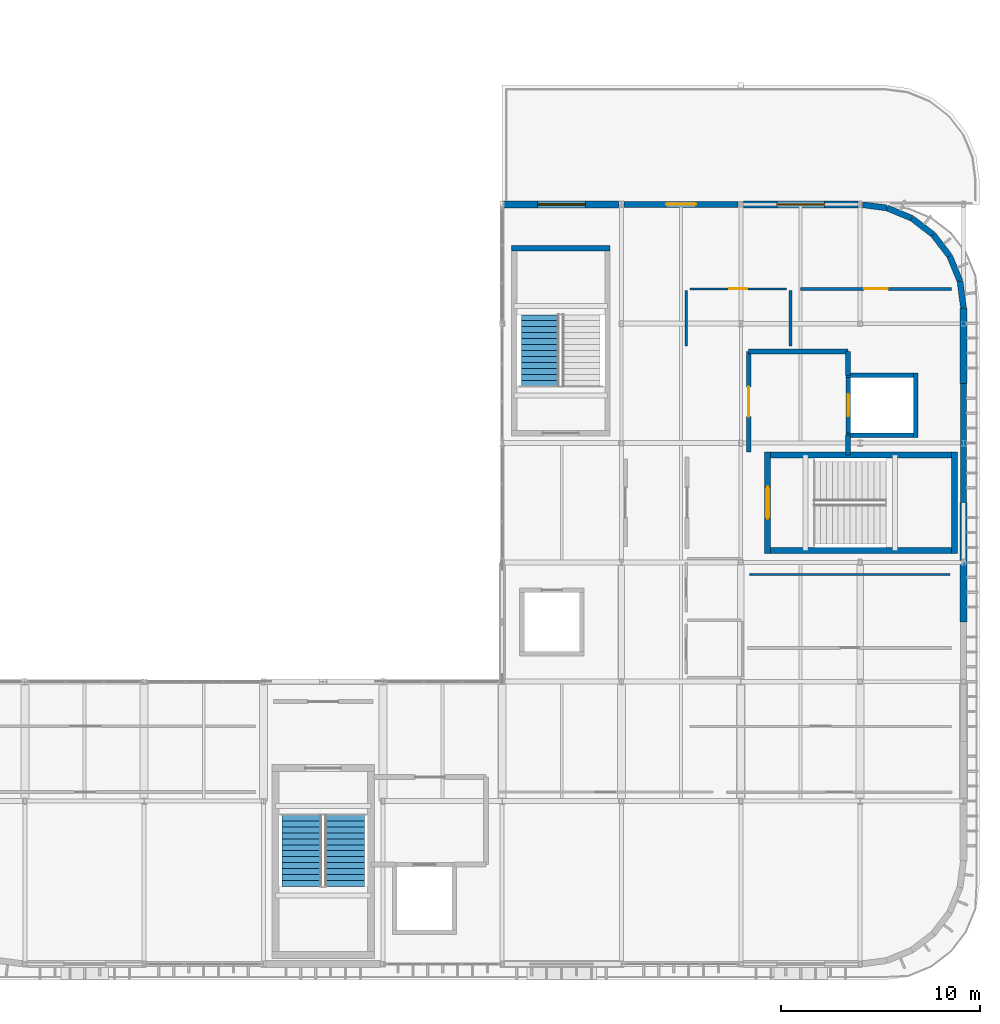
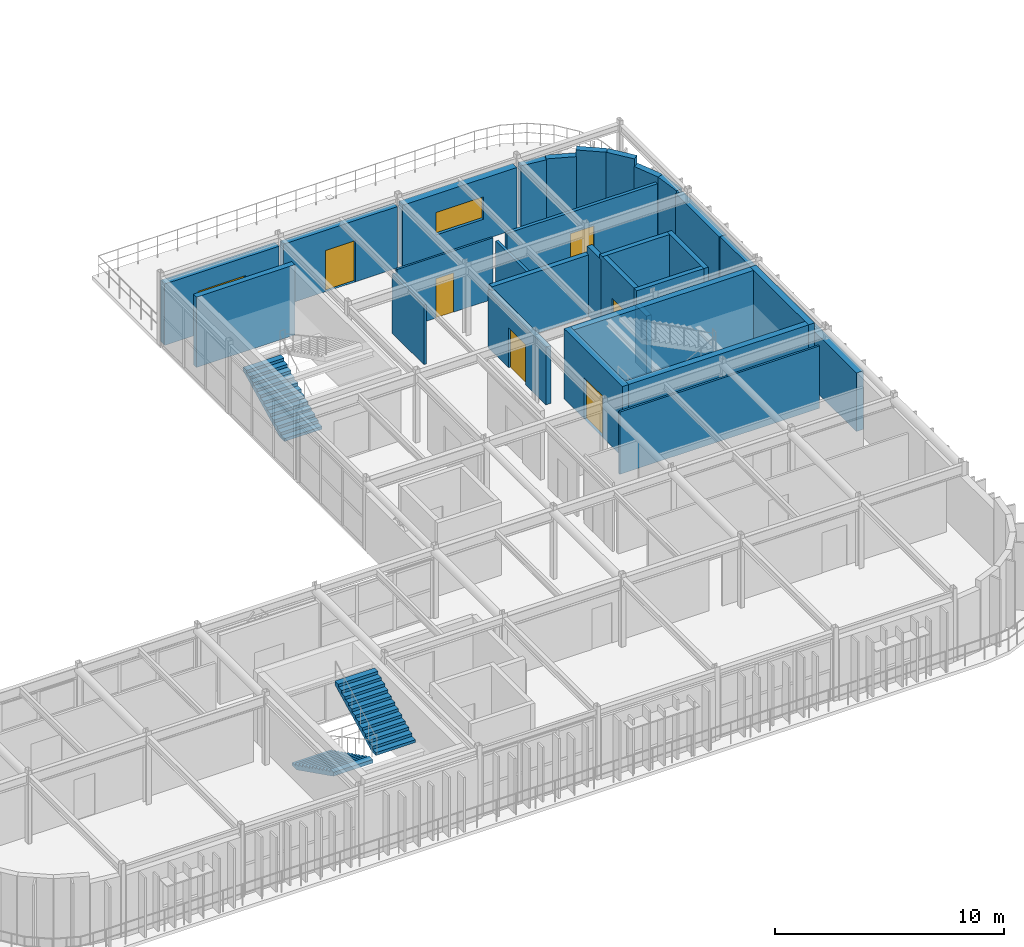
# One storey, part 19 of 27: 30 walls, 6 doors, 3 stair flights, 2 windows, 8 openings, 2 elements without a shape of their own.
"""IFC4 building model written with IfcOpenShell, lengths in metres."""

import ifcopenshell
import ifcopenshell.guid

model = None  # the IFC model being written
_history = None  # IfcOwnerHistory: only IFC2X3 demands one
_inside = {}  # id of a spatial element -> (the spatial element, [elements in it])
_under = {}  # id of a project, library or spatial element -> (it, [spatial elements below it])
_declared = {}  # id of a project -> (the project, [libraries it declares])
_typed = {}  # id of a type object -> (the type object, [elements of that type])
_made_of = {}  # id of a material, layer set ... -> (it, [elements and type objects made of it])


def new_model(schema):
    """Start an empty IFC model of exactly this schema.

    Asked for "IFC4X3", IfcOpenShell would pick the latest addendum, in which some entities
    have other attributes; the version numbers below select the first issue.
    IFC2X3 requires an IfcOwnerHistory on every rooted entity: one is made here for all.
    """
    global model, _history
    if schema == "IFC4X3":
        model = ifcopenshell.file(schema_version=(4, 3, 0, 0))
    else:
        model = ifcopenshell.file(schema=schema)
    _inside.clear()
    _under.clear()
    _declared.clear()
    _typed.clear()
    _made_of.clear()
    _history = None
    if model.schema == "IFC2X3":
        org = make("IfcOrganization", Name="unknown")
        user = make(
            "IfcPersonAndOrganization",
            ThePerson=make("IfcPerson", FamilyName="unknown"),
            TheOrganization=org,
        )
        app = make(
            "IfcApplication",
            ApplicationDeveloper=org,
            Version="unknown",
            ApplicationFullName="unknown",
            ApplicationIdentifier="unknown",
        )
        _history = make(
            "IfcOwnerHistory",
            OwningUser=user,
            OwningApplication=app,
            ChangeAction="ADDED",
            CreationDate=0,
        )
    return model


def make(cls, **values):
    """One entity of the class cls with the attributes given. An attribute that is None is left unset."""
    return model.create_entity(
        cls, **{name: value for name, value in values.items() if value is not None}
    )


def rooted(cls, **values):
    """An entity with a GlobalId (a new one), such as an element, a storey or a relation."""
    return make(cls, GlobalId=ifcopenshell.guid.new(), OwnerHistory=_history, **values)


def si_unit(unit_type, name, prefix=None):
    """IfcSIUnit, for example si_unit("LENGTHUNIT", "METRE", prefix="MILLI")."""
    return make("IfcSIUnit", UnitType=unit_type, Prefix=prefix, Name=name)


def assignment(units):
    """IfcUnitAssignment: the units of a project."""
    return None if units is None else make("IfcUnitAssignment", Units=units)


def point(xyz):
    """IfcCartesianPoint."""
    return None if xyz is None else make("IfcCartesianPoint", Coordinates=xyz)


def direction(xyz):
    """IfcDirection."""
    return None if xyz is None else make("IfcDirection", DirectionRatios=xyz)


def frame(location, z_axis=None, x_axis=None):
    """IfcAxis2Placement3D, a coordinate frame: its origin and axes. An axis left out is left unset."""
    return make(
        "IfcAxis2Placement3D",
        Location=point(location),
        Axis=direction(z_axis),
        RefDirection=direction(x_axis),
    )


def frame_2d(location, x_axis=None):
    """IfcAxis2Placement2D, a coordinate frame in the plane: its origin and x axis."""
    return make(
        "IfcAxis2Placement2D", Location=point(location), RefDirection=direction(x_axis)
    )


def origin():
    """The frame at (0, 0, 0) with its axes left unset."""
    return frame((0.0, 0.0, 0.0))


def place(relative_to, where):
    """IfcLocalPlacement: puts the frame where relative to a parent placement (None: the world)."""
    return make(
        "IfcLocalPlacement", PlacementRelTo=relative_to, RelativePlacement=where
    )


def context(
    kind, dimensions, precision=None, world=None, true_north=None, identifier=None
):
    """IfcGeometricRepresentationContext, for example the 3D "Model" context."""
    return make(
        "IfcGeometricRepresentationContext",
        ContextIdentifier=identifier,
        ContextType=kind,
        CoordinateSpaceDimension=dimensions,
        Precision=precision,
        WorldCoordinateSystem=world,
        TrueNorth=true_north,
    )


def subcontext(parent, identifier, kind, view, scale=None):
    """IfcGeometricRepresentationSubContext, for example "Body" below "Model"."""
    return make(
        "IfcGeometricRepresentationSubContext",
        ContextIdentifier=identifier,
        ContextType=kind,
        ParentContext=parent,
        TargetScale=scale,
        TargetView=view,
    )


def project(units=None, contexts=None):
    """IfcProject with its units and contexts."""
    return rooted(
        "IfcProject",
        Name="project",
        RepresentationContexts=contexts,
        UnitsInContext=assignment(units),
    )


def spatial(cls, under=None, at=None, **own):
    """A site, building, storey or space (cls), placed at a placement, below another one or the project."""
    s = rooted(cls, ObjectPlacement=at, **own)
    if under is not None:
        _under.setdefault(under.id(), (under, []))[1].append(s)
    return s


def polyline(points):
    """IfcPolyline through the points."""
    return make("IfcPolyline", Points=[point(p) for p in points])


def profile(cls, at=None, kind="AREA", **sizes):
    """A parametric profile (cls). Its sizes go by their IFC names, for example OverallWidth=200.0."""
    return make(cls, ProfileType=kind, Position=at, **sizes)


def rectangle(**sizes):
    """IfcRectangleProfileDef."""
    return profile("IfcRectangleProfileDef", **sizes)


def outline(outer, holes=None, kind="AREA"):
    """IfcArbitraryClosedProfileDef: a profile drawn as a closed curve; with holes, ...WithVoids."""
    if holes is None:
        return make("IfcArbitraryClosedProfileDef", ProfileType=kind, OuterCurve=outer)
    return make(
        "IfcArbitraryProfileDefWithVoids",
        ProfileType=kind,
        OuterCurve=outer,
        InnerCurves=holes,
    )


def extrude(swept, where, along, depth):
    """IfcExtrudedAreaSolid: the profile swept, set in the frame where, extruded along a direction by depth."""
    return make(
        "IfcExtrudedAreaSolid",
        SweptArea=swept,
        Position=where,
        ExtrudedDirection=direction(along),
        Depth=depth,
    )


def shape(context_of_items, identifier, shape_type, items):
    """IfcShapeRepresentation: the items that make up one representation, for example the "Body"."""
    return make(
        "IfcShapeRepresentation",
        ContextOfItems=context_of_items,
        RepresentationIdentifier=identifier,
        RepresentationType=shape_type,
        Items=items,
    )


def material(Name=None, Category=None):
    """IfcMaterial."""
    return make("IfcMaterial", Name=Name, Category=Category)


def layer(
    of_material, thickness, ventilated=None, Name=None, Category=None, Priority=None
):
    """IfcMaterialLayer: one layer of a wall or slab, of a material (None: an air gap)."""
    return make(
        "IfcMaterialLayer",
        Material=of_material,
        LayerThickness=thickness,
        IsVentilated=ventilated,
        Name=Name,
        Category=Category,
        Priority=Priority,
    )


def layer_set(layers, Name=None):
    """IfcMaterialLayerSet."""
    return make("IfcMaterialLayerSet", MaterialLayers=layers, LayerSetName=Name)


def made_of(thing, what):
    """Note that an element or type object is made of a material, layer set ...; save() writes the relation."""
    if what is not None:
        _made_of.setdefault(what.id(), (what, []))[1].append(thing)
    return thing


def type_object(cls, material=None, **own):
    """A type object (cls), such as IfcWallType, which elements share."""
    return made_of(rooted(cls, **own), material)


def element(
    cls,
    number,
    at=None,
    inside=None,
    cuts=None,
    type_object=None,
    material=None,
    context=None,
    identifier="Body",
    shape_type=None,
    held_by="IfcProductDefinitionShape",
    body=None,
    shapes=None,
    **own,
):
    """One element of the class cls, such as IfcWall. Its Tag is "e" and its number.

    at: its placement. inside: the storey or other place that contains it. cuts: it is an
    opening in that element (IfcRelVoidsElement). A single representation is given by context,
    identifier, shape_type and body (its items); several are given by shapes. held_by: the class
    of the entity that holds the representations. save() writes the other relations.
    """
    e = rooted(cls, Tag="e%d" % number, ObjectPlacement=at, **own)
    if body is not None:
        shapes = [shape(context, identifier, shape_type, body)]
    if shapes is not None:
        e.Representation = make(held_by, Representations=shapes)
    if inside is not None:
        _inside.setdefault(inside.id(), (inside, []))[1].append(e)
    if cuts is not None:
        rooted(
            "IfcRelVoidsElement", RelatingBuildingElement=cuts, RelatedOpeningElement=e
        )
    if type_object is not None:
        _typed.setdefault(type_object.id(), (type_object, []))[1].append(e)
    return made_of(e, material)


def fill(opening, filler):
    """IfcRelFillsElement: the door or window that sits in an opening."""
    return rooted(
        "IfcRelFillsElement",
        RelatingOpeningElement=opening,
        RelatedBuildingElement=filler,
    )


def aggregate(whole, parts):
    """IfcRelAggregates: a whole, such as a stair, and the parts it consists of."""
    return rooted("IfcRelAggregates", RelatingObject=whole, RelatedObjects=parts)


def save(model, path):
    """Write the relations noted so far, then the file.

    IfcRelAggregates (storeys below a building ...), IfcRelContainedInSpatialStructure (elements
    in a storey), IfcRelDefinesByType, IfcRelAssociatesMaterial and IfcRelDeclares: one each for
    every whole, place, type object, material and project.
    """
    for whole, parts in _under.values():
        aggregate(whole, parts)
    for where, things in _inside.values():
        rooted(
            "IfcRelContainedInSpatialStructure",
            RelatedElements=things,
            RelatingStructure=where,
        )
    for kind, things in _typed.values():
        rooted("IfcRelDefinesByType", RelatedObjects=things, RelatingType=kind)
    for what, things in _made_of.values():
        rooted("IfcRelAssociatesMaterial", RelatedObjects=things, RelatingMaterial=what)
    for by, libraries in _declared.values():
        rooted("IfcRelDeclares", RelatingContext=by, RelatedDefinitions=libraries)
    model.write(path)


model = new_model("IFC4")

# Units and contexts
model_context = context("Model", 3, precision=1e-05, world=origin(), true_north=direction((0.0, 1.0)))
body_context = subcontext(model_context, "Body", "Model", "MODEL_VIEW")
ifc_project = project(units=[si_unit("LENGTHUNIT", "METRE"), si_unit("AREAUNIT", "SQUARE_METRE"), si_unit("VOLUMEUNIT", "CUBIC_METRE"), si_unit("PLANEANGLEUNIT", "RADIAN"), si_unit("MASSUNIT", "GRAM", prefix="KILO")], contexts=[model_context])

# Site, building, storey
site_placement = place(None, origin())
site = spatial("IfcSite", under=ifc_project, at=site_placement, CompositionType="ELEMENT")
building_placement = place(site_placement, origin())
building = spatial("IfcBuilding", under=site, at=building_placement, Name="Varnakota Square Police Headquarters", CompositionType="ELEMENT")
storey_placement = place(building_placement, frame((0.0, 0.0, 26.10009765625)))
storey = spatial("IfcBuildingStorey", under=building, at=storey_placement, Name="L06", CompositionType="ELEMENT", Elevation=26.10009765625)

# Walls
ifc_material_1 = material(Name="Concrete M40", Category="concrete")
ifc_layer_1 = layer(ifc_material_1, 0.22998046875, Name="Concrete M40")
ifc_layer_set_1 = layer_set([ifc_layer_1], Name="Concrete M40")
wall_type_1 = type_object("IfcWallType", Name="WL-CORE-230", PredefinedType="SHEAR", material=ifc_layer_set_1)
wall_1_placement = place(storey_placement, frame((155.284912109375, 27.39990234375, 0.0), z_axis=(0.0, 0.0, 1.0), x_axis=(1.0, 0.0, 0.0)))
element("IfcWall", 1, at=wall_1_placement, inside=storey, type_object=wall_type_1, Name="Lift shaft wall LF-FF2 L06 S", PredefinedType="SHEAR", context=body_context, shape_type="SweptSolid", body=[
    extrude(rectangle(XDim=3.630126953125, YDim=0.22998046875, at=frame_2d((1.81494140625, 0.0))), origin(), (0.0, 0.0, 1.0), 3.89990234375),
])
wall_2_placement = place(storey_placement, frame((158.800048828125, 27.284912109375, 0.0), z_axis=(0.0, 0.0, 1.0), x_axis=(0.0, 1.0, 0.0)))
element("IfcWall", 2, at=wall_2_placement, inside=storey, type_object=wall_type_1, Name="Lift shaft wall LF-FF2 L06 E", PredefinedType="SHEAR", context=body_context, shape_type="SweptSolid", body=[
    extrude(rectangle(XDim=3.22998046875, YDim=0.22998046875, at=frame_2d((1.614990234375, 0.0))), origin(), (0.0, 0.0, 1.0), 3.89990234375),
])
wall_3_placement = place(storey_placement, frame((158.9150390625, 30.39990234375, 0.0), z_axis=(0.0, 0.0, 1.0), x_axis=(-1.0, 0.0, 0.0)))
element("IfcWall", 3, at=wall_3_placement, inside=storey, type_object=wall_type_1, Name="Lift shaft wall LF-FF2 L06 N", PredefinedType="SHEAR", context=body_context, shape_type="SweptSolid", body=[
    extrude(rectangle(XDim=3.630126953125, YDim=0.22998046875, at=frame_2d((1.81494140625, 0.0))), origin(), (0.0, 0.0, 1.0), 3.89990234375),
])

# Wall, opening, door
wall_4_placement = place(storey_placement, frame((155.39990234375, 30.514892578125, 0.0), z_axis=(0.0, 0.0, 1.0), x_axis=(0.0, -1.0, 0.0)))
wall_4 = element("IfcWall", 4, at=wall_4_placement, inside=storey, type_object=wall_type_1, Name="Lift shaft wall LF-FF2 L06 W", PredefinedType="SHEAR", context=body_context, shape_type="SweptSolid", body=[
    extrude(rectangle(XDim=3.22998046875, YDim=0.22998046875, at=frame_2d((1.614990234375, 0.0))), origin(), (0.0, 0.0, 1.0), 3.89990234375),
])
opening_1_placement = place(wall_4_placement, frame((1.06494140625, 0.0, 0.0)))
opening_1 = element("IfcOpeningElement", 5, at=opening_1_placement, cuts=wall_4, Name="Opening LD015", PredefinedType="OPENING", context=body_context, shape_type="SweptSolid", body=[
    extrude(rectangle(XDim=1.10009765625, YDim=2.199951171875, at=frame_2d((0.550048828125, 1.10009765625))), frame((0.0, 0.125, 0.0), z_axis=(0.0, -1.0, 0.0), x_axis=(1.0, 0.0, 0.0)), (0.0, 0.0, 1.0), 0.25),
])
ifc_material_2 = material(Name="Brushed Grade 316 Stainless Steel", Category="steel")
door_type_1 = type_object("IfcDoorType", Name="DR-LD-FF", OperationType="NOTDEFINED", PredefinedType="DOOR", material=ifc_material_2)
door_1_placement = place(opening_1_placement, origin())
door_1 = element("IfcDoor", 6, at=door_1_placement, inside=storey, type_object=door_type_1, Name="Lift sliding landing door LD015", OperationType="SLIDING_TO_LEFT", OverallHeight=2.199951171875, OverallWidth=1.10009765625, PredefinedType="DOOR", context=body_context, shape_type="SweptSolid", body=[
    extrude(rectangle(XDim=1.10009765625, YDim=2.199951171875, at=frame_2d((0.550048828125, 1.10009765625))), frame((0.0, 0.02490234375, 0.0), z_axis=(0.0, -1.0, 0.0), x_axis=(1.0, 0.0, 0.0)), (0.0, 0.0, 1.0), 0.050048828125),
])
fill(opening_1, door_1)

# Walls
ifc_material_3 = material(Name="Concrete M50", Category="concrete")
ifc_layer_2 = layer(ifc_material_3, 0.27001953125, Name="Concrete M50")
ifc_layer_set_2 = layer_set([ifc_layer_2], Name="Concrete M50")
wall_type_2 = type_object("IfcWallType", Name="WL-CORE-270", PredefinedType="SHEAR", material=ifc_layer_set_2)
wall_5_placement = place(storey_placement, frame((143.43505859375, 36.800048828125, 0.0), z_axis=(0.0, 0.0, 1.0), x_axis=(-1.0, 0.0, 0.0)))
element("IfcWall", 7, at=wall_5_placement, inside=storey, type_object=wall_type_2, Name="Core C3 shear wall L06 N", PredefinedType="SHEAR", context=body_context, shape_type="SweptSolid", body=[
    extrude(rectangle(XDim=4.969970703125, YDim=0.27001953125, at=frame_2d((2.48486328125, 0.0))), origin(), (0.0, 0.0, 1.0), 3.760009765625),
])
ifc_layer_3 = layer(ifc_material_3, 0.31005859375, Name="Concrete M50")
ifc_layer_set_3 = layer_set([ifc_layer_3], Name="Concrete M50")
wall_type_3 = type_object("IfcWallType", Name="WL-CORE-310", PredefinedType="SHEAR", material=ifc_layer_set_3)
wall_6_placement = place(storey_placement, frame((151.195068359375, 21.60009765625, 0.0), z_axis=(0.0, 0.0, 1.0), x_axis=(1.0, 0.0, 0.0)))
element("IfcWall", 8, at=wall_6_placement, inside=storey, type_object=wall_type_3, Name="Core C2 shear wall L06 S", PredefinedType="SHEAR", context=body_context, shape_type="SweptSolid", body=[
    extrude(rectangle(XDim=9.7099609375, YDim=0.31005859375, at=frame_2d((4.85498046875, 0.0))), origin(), (0.0, 0.0, 1.0), 3.760009765625),
])
wall_7_placement = place(storey_placement, frame((160.75, 21.445068359375, 0.0), z_axis=(0.0, 0.0, 1.0), x_axis=(0.0, 1.0, 0.0)))
element("IfcWall", 9, at=wall_7_placement, inside=storey, type_object=wall_type_3, Name="Core C2 shear wall L06 E", PredefinedType="SHEAR", context=body_context, shape_type="SweptSolid", body=[
    extrude(rectangle(XDim=5.10986328125, YDim=0.31005859375, at=frame_2d((2.554931640625, 0.0))), origin(), (0.0, 0.0, 1.0), 3.760009765625),
])
wall_8_placement = place(storey_placement, frame((160.905029296875, 26.39990234375, 0.0), z_axis=(0.0, 0.0, 1.0), x_axis=(-1.0, 0.0, 0.0)))
element("IfcWall", 10, at=wall_8_placement, inside=storey, type_object=wall_type_3, Name="Core C2 shear wall L06 N", PredefinedType="SHEAR", context=body_context, shape_type="SweptSolid", body=[
    extrude(rectangle(XDim=9.7099609375, YDim=0.31005859375, at=frame_2d((4.85498046875, 0.0))), origin(), (0.0, 0.0, 1.0), 3.760009765625),
])

# Wall, opening, door
wall_9_placement = place(storey_placement, frame((151.35009765625, 26.554931640625, 0.0), z_axis=(0.0, 0.0, 1.0), x_axis=(0.0, -1.0, 0.0)))
wall_9 = element("IfcWall", 11, at=wall_9_placement, inside=storey, type_object=wall_type_3, Name="Core C2 shear wall L06 W", PredefinedType="SHEAR", context=body_context, shape_type="SweptSolid", body=[
    extrude(rectangle(XDim=5.10986328125, YDim=0.31005859375, at=frame_2d((2.554931640625, 0.0))), origin(), (0.0, 0.0, 1.0), 3.760009765625),
])
opening_2_placement = place(wall_9_placement, frame((1.7548828125, 0.0, 0.0)))
opening_2 = element("IfcOpeningElement", 12, at=opening_2_placement, cuts=wall_9, Name="Opening SD031", PredefinedType="OPENING", context=body_context, shape_type="SweptSolid", body=[
    extrude(rectangle(XDim=1.60009765625, YDim=2.199951171875, at=frame_2d((0.800048828125, 1.10009765625))), frame((0.0, 0.1650390625, 0.0), z_axis=(0.0, -1.0, 0.0), x_axis=(1.0, 0.0, 0.0)), (0.0, 0.0, 1.0), 0.330078125),
])
ifc_material_4 = material(Name="Powder-Coated Galvanised Steel", Category="steel")
door_type_2 = type_object("IfcDoorType", Name="DR-ST-160", OperationType="NOTDEFINED", PredefinedType="DOOR", material=ifc_material_4)
door_2_placement = place(opening_2_placement, origin())
door_2 = element("IfcDoor", 13, at=door_2_placement, inside=storey, type_object=door_type_2, Name="Protected stair door SD031", OperationType="DOUBLE_DOOR_SINGLE_SWING", OverallHeight=2.199951171875, OverallWidth=1.60009765625, PredefinedType="DOOR", context=body_context, shape_type="SweptSolid", body=[
    extrude(rectangle(XDim=1.60009765625, YDim=2.199951171875, at=frame_2d((0.800048828125, 1.10009765625))), frame((0.0, 0.02490234375, 0.0), z_axis=(0.0, -1.0, 0.0), x_axis=(1.0, 0.0, 0.0)), (0.0, 0.0, 1.0), 0.050048828125),
])
fill(opening_2, door_2)

# Wall
ifc_layer_4 = layer(ifc_material_1, 0.280029296875, Name="Concrete M40")
ifc_layer_set_4 = layer_set([ifc_layer_4], Name="Concrete M40")
wall_type_4 = type_object("IfcWallType", Name="WL-EXT-280", PredefinedType="SOLIDWALL", material=ifc_layer_set_4)
wall_10_placement = place(storey_placement, frame((161.199951171875, 24.0, 0.0), z_axis=(0.0, 0.0, 1.0), x_axis=(0.0, 1.0, 0.0)))
element("IfcWall", 14, at=wall_10_placement, inside=storey, type_object=wall_type_4, Name="Exterior wall EW-L06-0323", PredefinedType="SOLIDWALL", context=body_context, shape_type="SweptSolid", body=[
    extrude(rectangle(XDim=6.0, YDim=0.280029296875, at=frame_2d((3.0, 0.0))), origin(), (0.0, 0.0, 1.0), 3.1298828125),
])

# Wall, opening, door
ifc_material_5 = material(Name="Precast concrete M40", Category="concrete")
ifc_layer_5 = layer(ifc_material_5, 0.300048828125, Name="Precast concrete M40")
ifc_layer_set_5 = layer_set([ifc_layer_5], Name="Precast concrete M40")
wall_type_5 = type_object("IfcWallType", Name="WL-EXT-300", PredefinedType="SOLIDWALL", material=ifc_layer_set_5)
wall_11_placement = place(storey_placement, frame((144.12890625, 39.0, 0.0), z_axis=(0.0, 0.0, 1.0), x_axis=(1.0, 0.0, 0.0)))
wall_11 = element("IfcWall", 15, at=wall_11_placement, inside=storey, type_object=wall_type_5, Name="Exterior wall EW-L06-0330", PredefinedType="SOLIDWALL", context=body_context, shape_type="SweptSolid", body=[
    extrude(rectangle(XDim=5.7421875, YDim=0.300048828125, at=frame_2d((2.87109375, 0.0))), origin(), (0.0, 0.0, 1.0), 3.27978515625),
])
opening_3_placement = place(wall_11_placement, frame((2.12109375, 0.0, 0.0)))
opening_3 = element("IfcOpeningElement", 16, at=opening_3_placement, cuts=wall_11, Name="Opening TD02", PredefinedType="OPENING", context=body_context, shape_type="SweptSolid", body=[
    extrude(rectangle(XDim=1.5, YDim=2.199951171875, at=frame_2d((0.75, 1.10009765625))), frame((0.0, 0.159912109375, 0.0), z_axis=(0.0, -1.0, 0.0), x_axis=(1.0, 0.0, 0.0)), (0.0, 0.0, 1.0), 0.320068359375),
])
ifc_material_6 = material(Name="Powder-Coated Steel Refuge Terrace Door", Category="steel")
door_type_3 = type_object("IfcDoorType", Name="DR-EXT-TERR150", OperationType="NOTDEFINED", PredefinedType="DOOR", material=ifc_material_6)
door_3_placement = place(opening_3_placement, origin())
door_3 = element("IfcDoor", 17, at=door_3_placement, inside=storey, type_object=door_type_3, Name="Exterior door TD02", OperationType="DOUBLE_DOOR_SINGLE_SWING", OverallHeight=2.199951171875, OverallWidth=1.5, PredefinedType="DOOR", context=body_context, shape_type="SweptSolid", body=[
    extrude(rectangle(XDim=1.5, YDim=2.199951171875, at=frame_2d((0.75, 1.10009765625))), frame((0.0, 0.02490234375, 0.0), z_axis=(0.0, -1.0, 0.0), x_axis=(1.0, 0.0, 0.0)), (0.0, 0.0, 1.0), 0.050048828125),
])
fill(opening_3, door_3)

# Walls
wall_12_placement = place(storey_placement, frame((161.199951171875, 33.800048828125, 0.0), z_axis=(0.0, 0.0, 1.0), x_axis=(-0.130561507967, 0.991440211328, 0.0)))
element("IfcWall", 18, at=wall_12_placement, inside=storey, type_object=wall_type_5, Name="Exterior wall EW-L06-0344", PredefinedType="SOLIDWALL", context=body_context, shape_type="SweptSolid", body=[
    extrude(rectangle(XDim=1.357666015625, YDim=0.300048828125, at=frame_2d((0.6787109375, 0.0))), origin(), (0.0, 0.0, 1.0), 3.27978515625),
])
wall_13_placement = place(storey_placement, frame((161.022705078125, 35.14599609375, 0.0), z_axis=(0.0, 0.0, 1.0), x_axis=(-0.382621882407, 0.923905024937, 0.0)))
element("IfcWall", 19, at=wall_13_placement, inside=storey, type_object=wall_type_5, Name="Exterior wall EW-L06-0345", PredefinedType="SOLIDWALL", context=body_context, shape_type="SweptSolid", body=[
    extrude(rectangle(XDim=1.357177734375, YDim=0.300048828125, at=frame_2d((0.6787109375, 0.0))), origin(), (0.0, 0.0, 1.0), 3.27978515625),
])
wall_14_placement = place(storey_placement, frame((160.50341796875, 36.39990234375, 0.0), z_axis=(0.0, 0.0, 1.0), x_axis=(-0.60871087169, 0.793392131727, 0.0)))
element("IfcWall", 20, at=wall_14_placement, inside=storey, type_object=wall_type_5, Name="Exterior wall EW-L06-0346", PredefinedType="SOLIDWALL", context=body_context, shape_type="SweptSolid", body=[
    extrude(rectangle(XDim=1.357666015625, YDim=0.300048828125, at=frame_2d((0.6787109375, 0.0))), origin(), (0.0, 0.0, 1.0), 3.684814453125),
])
wall_15_placement = place(storey_placement, frame((159.677001953125, 37.47705078125, 0.0), z_axis=(0.0, 0.0, 1.0), x_axis=(-0.793412351971, 0.608684515772, 0.0)))
element("IfcWall", 21, at=wall_15_placement, inside=storey, type_object=wall_type_5, Name="Exterior wall EW-L06-0347", PredefinedType="SOLIDWALL", context=body_context, shape_type="SweptSolid", body=[
    extrude(rectangle(XDim=1.357421875, YDim=0.300048828125, at=frame_2d((0.6787109375, 0.0))), origin(), (0.0, 0.0, 1.0), 3.684814453125),
])
wall_16_placement = place(storey_placement, frame((158.60009765625, 38.30322265625, 0.0), z_axis=(0.0, 0.0, 1.0), x_axis=(-0.92386777328, 0.382711820428, 0.0)))
element("IfcWall", 22, at=wall_16_placement, inside=storey, type_object=wall_type_5, Name="Exterior wall EW-L06-0348", PredefinedType="SOLIDWALL", context=body_context, shape_type="SweptSolid", body=[
    extrude(rectangle(XDim=1.357421875, YDim=0.300048828125, at=frame_2d((0.6787109375, 0.0))), origin(), (0.0, 0.0, 1.0), 3.329833984375),
])
wall_17_placement = place(storey_placement, frame((157.345947265625, 38.82275390625, 0.0), z_axis=(0.0, 0.0, 1.0), x_axis=(-0.991450930729, 0.130480082608, 0.0)))
element("IfcWall", 23, at=wall_17_placement, inside=storey, type_object=wall_type_5, Name="Exterior wall EW-L06-0349", PredefinedType="SOLIDWALL", context=body_context, shape_type="SweptSolid", body=[
    extrude(rectangle(XDim=1.23486328125, YDim=0.300048828125, at=frame_2d((0.617431640625, 0.0))), origin(), (0.0, 0.0, 1.0), 3.27978515625),
])
ifc_layer_6 = layer(ifc_material_1, 0.360107421875, Name="Concrete M40")
ifc_layer_set_6 = layer_set([ifc_layer_6], Name="Concrete M40")
wall_type_6 = type_object("IfcWallType", Name="WL-EXT-360", PredefinedType="SOLIDWALL", material=ifc_layer_set_6)
wall_18_placement = place(storey_placement, frame((161.199951171875, 18.0, 0.0), z_axis=(0.0, 0.0, 1.0), x_axis=(0.0, 1.0, 0.0)))
element("IfcWall", 24, at=wall_18_placement, inside=storey, type_object=wall_type_6, Name="Exterior wall EW-L06-0322", PredefinedType="SOLIDWALL", context=body_context, shape_type="SweptSolid", body=[
    extrude(rectangle(XDim=6.0, YDim=0.360107421875, at=frame_2d((3.0, 0.0))), origin(), (0.0, 0.0, 1.0), 3.1298828125),
])
wall_19_placement = place(storey_placement, frame((161.199951171875, 30.0, 0.0), z_axis=(0.0, 0.0, 1.0), x_axis=(0.0, 1.0, 0.0)))
element("IfcWall", 25, at=wall_19_placement, inside=storey, type_object=wall_type_6, Name="Exterior wall EW-L06-0324", PredefinedType="SOLIDWALL", context=body_context, shape_type="SweptSolid", body=[
    extrude(rectangle(XDim=3.800048828125, YDim=0.360107421875, at=frame_2d((1.89990234375, 0.0))), origin(), (0.0, 0.0, 1.0), 3.1298828125),
])

# Wall, opening, window
wall_20_placement = place(storey_placement, frame((138.10400390625, 39.0, 0.0), z_axis=(0.0, 0.0, 1.0), x_axis=(1.0, 0.0, 0.0)))
wall_20 = element("IfcWall", 26, at=wall_20_placement, inside=storey, type_object=wall_type_6, Name="Exterior wall EW-L06-0329", PredefinedType="SOLIDWALL", context=body_context, shape_type="SweptSolid", body=[
    extrude(rectangle(XDim=5.76708984375, YDim=0.360107421875, at=frame_2d((2.883544921875, 0.0))), origin(), (0.0, 0.0, 1.0), 3.27978515625),
])
opening_4_placement = place(wall_20_placement, frame((1.68359375, 0.0, 1.10009765625)))
opening_4 = element("IfcOpeningElement", 27, at=opening_4_placement, cuts=wall_20, Name="Opening W06", PredefinedType="OPENING", context=body_context, shape_type="SweptSolid", body=[
    extrude(rectangle(XDim=2.39990234375, YDim=1.199951171875, at=frame_2d((1.199951171875, 0.60009765625))), frame((0.0, 0.18994140625, 0.0), z_axis=(0.0, -1.0, 0.0), x_axis=(1.0, 0.0, 0.0)), (0.0, 0.0, 1.0), 0.380126953125),
])
ifc_material_7 = material(Name="Thermally Broken Aluminium Double-Glazed Window", Category="aluminium")
window_type = type_object("IfcWindowType", Name="WIN-06", PartitioningType="SINGLE_PANEL", PredefinedType="WINDOW", material=ifc_material_7)
window_1_placement = place(opening_4_placement, origin())
window_1 = element("IfcWindow", 28, at=window_1_placement, inside=storey, type_object=window_type, Name="Window WN-L06-0058", OverallHeight=1.199951171875, OverallWidth=2.39990234375, PartitioningType="SINGLE_PANEL", PredefinedType="WINDOW", context=body_context, shape_type="SweptSolid", body=[
    extrude(rectangle(XDim=2.39990234375, YDim=1.199951171875, at=frame_2d((1.199951171875, 0.60009765625))), frame((0.0, 0.030029296875, 0.0), z_axis=(0.0, -1.0, 0.0), x_axis=(1.0, 0.0, 0.0)), (0.0, 0.0, 1.0), 0.06005859375),
])
fill(opening_4, window_1)

wall_21_placement = place(storey_placement, frame((150.12890625, 39.0, 0.0), z_axis=(0.0, 0.0, 1.0), x_axis=(1.0, 0.0, 0.0)))
wall_21 = element("IfcWall", 29, at=wall_21_placement, inside=storey, type_object=wall_type_6, Name="Exterior wall EW-L06-0331", PredefinedType="SOLIDWALL", context=body_context, shape_type="SweptSolid", body=[
    extrude(rectangle(XDim=5.76708984375, YDim=0.360107421875, at=frame_2d((2.883544921875, 0.0))), origin(), (0.0, 0.0, 1.0), 3.27978515625),
])
opening_5_placement = place(wall_21_placement, frame((1.68359375, 0.0, 1.10009765625)))
opening_5 = element("IfcOpeningElement", 30, at=opening_5_placement, cuts=wall_21, Name="Opening W06", PredefinedType="OPENING", context=body_context, shape_type="SweptSolid", body=[
    extrude(rectangle(XDim=2.39990234375, YDim=1.199951171875, at=frame_2d((1.199951171875, 0.60009765625))), frame((0.0, 0.18994140625, 0.0), z_axis=(0.0, -1.0, 0.0), x_axis=(1.0, 0.0, 0.0)), (0.0, 0.0, 1.0), 0.380126953125),
])
window_2_placement = place(opening_5_placement, origin())
window_2 = element("IfcWindow", 31, at=window_2_placement, inside=storey, type_object=window_type, Name="Window WN-L06-0059", OverallHeight=1.199951171875, OverallWidth=2.39990234375, PartitioningType="SINGLE_PANEL", PredefinedType="WINDOW", context=body_context, shape_type="SweptSolid", body=[
    extrude(rectangle(XDim=2.39990234375, YDim=1.199951171875, at=frame_2d((1.199951171875, 0.60009765625))), frame((0.0, 0.030029296875, 0.0), z_axis=(0.0, -1.0, 0.0), x_axis=(1.0, 0.0, 0.0)), (0.0, 0.0, 1.0), 0.06005859375),
])
fill(opening_5, window_2)

# Wall, opening, door
ifc_material_8 = material(Name="Glazed Clean-Lab Modular Partition", Category="gypsum")
ifc_layer_7 = layer(ifc_material_8, 0.10498046875, Name="Glazed Clean-Lab Modular Partition")
ifc_layer_set_7 = layer_set([ifc_layer_7], Name="Glazed Clean-Lab Modular Partition")
wall_type_7 = type_object("IfcWallType", Name="WL-PRT-105", PredefinedType="PARTITIONING", material=ifc_layer_set_7)
wall_22_placement = place(storey_placement, frame((147.449951171875, 34.75, 0.0), z_axis=(0.0, 0.0, 1.0), x_axis=(1.0, 0.0, 0.0)))
wall_22 = element("IfcWall", 32, at=wall_22_placement, inside=storey, type_object=wall_type_7, Name="Interior partition PW-L06-0247 (L06 Operations Women Washroom WC)", PredefinedType="PARTITIONING", context=body_context, shape_type="SweptSolid", body=[
    extrude(rectangle(XDim=4.85009765625, YDim=0.10498046875, at=frame_2d((2.425048828125, 0.0))), origin(), (0.0, 0.0, 1.0), 3.27978515625),
])
opening_6_placement = place(wall_22_placement, frame((1.97509765625, 0.0, 0.0)))
opening_6 = element("IfcOpeningElement", 33, at=opening_6_placement, cuts=wall_22, Name="Opening D290", PredefinedType="OPENING", context=body_context, shape_type="SweptSolid", body=[
    extrude(rectangle(XDim=0.89990234375, YDim=2.10009765625, at=frame_2d((0.449951171875, 1.050048828125))), frame((0.0, 0.0625, 0.0), z_axis=(0.0, -1.0, 0.0), x_axis=(1.0, 0.0, 0.0)), (0.0, 0.0, 1.0), 0.125),
])
ifc_material_9 = material(Name="High-Pressure Moisture-Resistant Compact Laminate")
door_type_4 = type_object("IfcDoorType", Name="DR-WC-090", OperationType="NOTDEFINED", PredefinedType="DOOR", material=ifc_material_9)
door_4_placement = place(opening_6_placement, origin())
door_4 = element("IfcDoor", 34, at=door_4_placement, inside=storey, type_object=door_type_4, Name="Room door D290 (L06 Operations Women Washroom WC)", OperationType="SINGLE_SWING_RIGHT", OverallHeight=2.10009765625, OverallWidth=0.89990234375, PredefinedType="DOOR", context=body_context, shape_type="SweptSolid", body=[
    extrude(rectangle(XDim=0.89990234375, YDim=2.10009765625, at=frame_2d((0.449951171875, 1.050048828125))), frame((0.0, 0.02490234375, 0.0), z_axis=(0.0, -1.0, 0.0), x_axis=(1.0, 0.0, 0.0)), (0.0, 0.0, 1.0), 0.050048828125),
])
fill(opening_6, door_4)

# Walls
wall_23_placement = place(storey_placement, frame((150.429931640625, 20.39990234375, 0.0), z_axis=(0.0, 0.0, 1.0), x_axis=(1.0, 0.0, 0.0)))
element("IfcWall", 35, at=wall_23_placement, inside=storey, type_object=wall_type_7, Name="Interior dividing partition PW-L06-0261 (Sixth Floor Staff Dining Pantry)", PredefinedType="PARTITIONING", context=body_context, shape_type="SweptSolid", body=[
    extrude(rectangle(XDim=10.090087890625, YDim=0.10498046875, at=frame_2d((5.044921875, 0.0))), origin(), (0.0, 0.0, 1.0), 3.329833984375),
])
ifc_material_10 = material(Name="Acoustic Insulated Metal-Stud Partition", Category="gypsum")
ifc_layer_8 = layer(ifc_material_10, 0.125, Name="Acoustic Insulated Metal-Stud Partition")
ifc_layer_set_8 = layer_set([ifc_layer_8], Name="Acoustic Insulated Metal-Stud Partition")
wall_type_8 = type_object("IfcWallType", Name="WL-PRT-125", PredefinedType="PARTITIONING", material=ifc_layer_set_8)
wall_24_placement = place(storey_placement, frame((147.25, 31.8798828125, 0.0), z_axis=(0.0, 0.0, 1.0), x_axis=(0.0, 1.0, 0.0)))
element("IfcWall", 36, at=wall_24_placement, inside=storey, type_object=wall_type_8, Name="Interior dividing partition PW-L06-0260 (L06 Operations Women Washroom WC)", PredefinedType="PARTITIONING", context=body_context, shape_type="SweptSolid", body=[
    extrude(rectangle(XDim=2.7900390625, YDim=0.125, at=frame_2d((1.39501953125, 0.0))), origin(), (0.0, 0.0, 1.0), 3.179931640625),
])
ifc_layer_9 = layer(ifc_material_10, 0.139892578125, Name="Acoustic Insulated Metal-Stud Partition")
ifc_layer_set_9 = layer_set([ifc_layer_9], Name="Acoustic Insulated Metal-Stud Partition")
wall_type_9 = type_object("IfcWallType", Name="WL-PRT-140", PredefinedType="PARTITIONING", material=ifc_layer_set_9)
wall_25_placement = place(storey_placement, frame((152.5, 34.669921875, 0.0), z_axis=(0.0, 0.0, 1.0), x_axis=(0.0, -1.0, 0.0)))
element("IfcWall", 37, at=wall_25_placement, inside=storey, type_object=wall_type_9, Name="Interior dividing partition PW-L06-0259 (L06 Operations Women Washroom WC)", PredefinedType="PARTITIONING", context=body_context, shape_type="SweptSolid", body=[
    extrude(rectangle(XDim=2.7900390625, YDim=0.139892578125, at=frame_2d((1.39501953125, 0.0))), origin(), (0.0, 0.0, 1.0), 3.079833984375),
])

# Wall, opening, door
ifc_material_11 = material(Name="Fire-Rated Double Gypsum Stud Partition", Category="gypsum")
ifc_layer_10 = layer(ifc_material_11, 0.1650390625, Name="Fire-Rated Double Gypsum Stud Partition")
ifc_layer_set_10 = layer_set([ifc_layer_10], Name="Fire-Rated Double Gypsum Stud Partition")
wall_type_10 = type_object("IfcWallType", Name="WL-PRT-165F", PredefinedType="PARTITIONING", material=ifc_layer_set_10)
wall_26_placement = place(storey_placement, frame((153.0, 34.75, 0.0), z_axis=(0.0, 0.0, 1.0), x_axis=(1.0, 0.0, 0.0)))
wall_26 = element("IfcWall", 38, at=wall_26_placement, inside=storey, type_object=wall_type_10, Name="Interior partition PW-L06-0254 (Financial Document Examination Laboratory)", PredefinedType="PARTITIONING", context=body_context, shape_type="SweptSolid", body=[
    extrude(rectangle(XDim=7.60009765625, YDim=0.1650390625, at=frame_2d((3.800048828125, 0.0))), origin(), (0.0, 0.0, 1.0), 3.27978515625),
])
opening_7_placement = place(wall_26_placement, frame((3.199951171875, 0.0, 0.0)))
opening_7 = element("IfcOpeningElement", 39, at=opening_7_placement, cuts=wall_26, Name="Opening D297", PredefinedType="OPENING", context=body_context, shape_type="SweptSolid", body=[
    extrude(rectangle(XDim=1.199951171875, YDim=2.14990234375, at=frame_2d((0.60009765625, 1.074951171875))), frame((0.0, 0.092529296875, 0.0), z_axis=(0.0, -1.0, 0.0), x_axis=(1.0, 0.0, 0.0)), (0.0, 0.0, 1.0), 0.18505859375),
])
ifc_material_12 = material(Name="Phenolic-Faced Fire-Rated Composite")
door_type_5 = type_object("IfcDoorType", Name="DR-LAB-120", OperationType="NOTDEFINED", PredefinedType="DOOR", material=ifc_material_12)
door_5_placement = place(opening_7_placement, origin())
door_5 = element("IfcDoor", 40, at=door_5_placement, inside=storey, type_object=door_type_5, Name="Room door D297 (Financial Document Examination Laboratory)", OperationType="SINGLE_SWING_RIGHT", OverallHeight=2.14990234375, OverallWidth=1.199951171875, PredefinedType="DOOR", context=body_context, shape_type="SweptSolid", body=[
    extrude(rectangle(XDim=1.199951171875, YDim=2.14990234375, at=frame_2d((0.60009765625, 1.074951171875))), frame((0.0, 0.02490234375, 0.0), z_axis=(0.0, -1.0, 0.0), x_axis=(1.0, 0.0, 0.0)), (0.0, 0.0, 1.0), 0.050048828125),
])
fill(opening_7, door_5)

ifc_layer_11 = layer(ifc_material_1, 0.25, Name="Concrete M40")
ifc_layer_set_11 = layer_set([ifc_layer_11], Name="Concrete M40")
wall_type_11 = type_object("IfcWallType", Name="WL-PRT-250F", PredefinedType="PARTITIONING", material=ifc_layer_set_11)
wall_27_placement = place(storey_placement, frame((150.39990234375, 26.550048828125, 0.0), z_axis=(0.0, 0.0, 1.0), x_axis=(0.0, 1.0, 0.0)))
wall_27 = element("IfcWall", 41, at=wall_27_placement, inside=storey, type_object=wall_type_11, Name="Firefighting lobby enclosure C2 L06", PredefinedType="PARTITIONING", context=body_context, shape_type="SweptSolid", body=[
    extrude(rectangle(XDim=5.050048828125, YDim=0.25, at=frame_2d((2.52490234375, 0.0))), origin(), (0.0, 0.0, 1.0), 3.079833984375),
])
opening_8_placement = place(wall_27_placement, frame((1.77490234375, 0.0, 0.0)))
opening_8 = element("IfcOpeningElement", 42, at=opening_8_placement, cuts=wall_27, Name="Opening FD046", PredefinedType="OPENING", context=body_context, shape_type="SweptSolid", body=[
    extrude(rectangle(XDim=1.5, YDim=2.14990234375, at=frame_2d((0.75, 1.074951171875))), frame((0.0, 0.135009765625, 0.0), z_axis=(0.0, -1.0, 0.0), x_axis=(1.0, 0.0, 0.0)), (0.0, 0.0, 1.0), 0.27001953125),
])
ifc_material_13 = material(Name="Smoke-Sealed Galvanised Acoustic Steel", Category="steel")
door_type_6 = type_object("IfcDoorType", Name="DR-FFL-150", OperationType="NOTDEFINED", PredefinedType="DOOR", material=ifc_material_13)
door_6_placement = place(opening_8_placement, origin())
door_6 = element("IfcDoor", 43, at=door_6_placement, inside=storey, type_object=door_type_6, Name="Firefighting lobby fire door FD046", OperationType="DOUBLE_DOOR_SINGLE_SWING", OverallHeight=2.14990234375, OverallWidth=1.5, PredefinedType="DOOR", context=body_context, shape_type="SweptSolid", body=[
    extrude(rectangle(XDim=1.5, YDim=2.14990234375, at=frame_2d((0.75, 1.074951171875))), frame((0.0, 0.02490234375, 0.0), z_axis=(0.0, -1.0, 0.0), x_axis=(1.0, 0.0, 0.0)), (0.0, 0.0, 1.0), 0.050048828125),
])
fill(opening_8, door_6)

# Walls
wall_28_placement = place(storey_placement, frame((150.39990234375, 31.60009765625, 0.0), z_axis=(0.0, 0.0, 1.0), x_axis=(1.0, 0.0, 0.0)))
element("IfcWall", 44, at=wall_28_placement, inside=storey, type_object=wall_type_11, Name="Firefighting lobby return wall C2 L06 N", PredefinedType="PARTITIONING", context=body_context, shape_type="SweptSolid", body=[
    extrude(rectangle(XDim=5.0, YDim=0.25, at=frame_2d((2.5, 0.0))), origin(), (0.0, 0.0, 1.0), 3.27978515625),
])
wall_29_placement = place(storey_placement, frame((155.39990234375, 30.39990234375, 0.0), z_axis=(0.0, 0.0, 1.0), x_axis=(0.0, 1.0, 0.0)))
element("IfcWall", 45, at=wall_29_placement, inside=storey, type_object=wall_type_11, Name="Firefighting lobby return wall C2 L06 EN", PredefinedType="PARTITIONING", context=body_context, shape_type="SweptSolid", body=[
    extrude(rectangle(XDim=1.2001953125, YDim=0.25, at=frame_2d((0.60009765625, 0.0))), origin(), (0.0, 0.0, 1.0), 3.679931640625),
])
wall_30_placement = place(storey_placement, frame((155.39990234375, 26.39990234375, 0.0), z_axis=(0.0, 0.0, 1.0), x_axis=(0.0, 1.0, 0.0)))
element("IfcWall", 46, at=wall_30_placement, inside=storey, type_object=wall_type_11, Name="Firefighting lobby return wall C2 L06 ES", PredefinedType="PARTITIONING", context=body_context, shape_type="SweptSolid", body=[
    extrude(rectangle(XDim=1.0, YDim=0.25, at=frame_2d((0.5, 0.0))), origin(), (0.0, 0.0, 1.0), 3.079833984375),
])

# Stair, stair flight
stair_type_1 = type_object("IfcStairType", Name="STR-DOG-1900", PredefinedType="USERDEFINED", material=ifc_material_1)
stair_1_placement = place(storey_placement, origin())
stair_1 = element("IfcStair", 47, at=stair_1_placement, inside=storey, type_object=stair_type_1, Name="Protected exit stair ST3 (L06)", ObjectType="TWO_RETURN_STAIR", PredefinedType="USERDEFINED")
stair_flight_type_1 = type_object("IfcStairFlightType", Name="SFL-DOG-1900", PredefinedType="STRAIGHT", material=ifc_material_1)
stair_flight_1_placement = place(storey_placement, frame((139.919921875, 29.85009765625, 0.0), z_axis=(0.0, 0.0, 1.0), x_axis=(0.0, 1.0, 0.0)))
stair_flight_1 = element("IfcStairFlight", 48, at=stair_flight_1_placement, type_object=stair_flight_type_1, Name="ST3-L06 flight 1", NumberOfRisers=13, NumberOfTreads=12, PredefinedType="STRAIGHT", RiserHeight=0.15, TreadLength=0.3, context=body_context, shape_type="SweptSolid", body=[
    extrude(outline(polyline([(0.0, 0.0), (0.0, 0.14990234375), (0.300048828125, 0.14990234375), (0.300048828125, 0.300048828125), (0.60009765625, 0.300048828125), (0.60009765625, 0.449951171875), (0.900146484375, 0.449951171875), (0.900146484375, 0.60009765625), (1.2001953125, 0.60009765625), (1.2001953125, 0.75), (1.500244140625, 0.75), (1.500244140625, 0.89990234375), (1.80029296875, 0.89990234375), (1.80029296875, 1.050048828125), (2.100341796875, 1.050048828125), (2.100341796875, 1.199951171875), (2.400390625, 1.199951171875), (2.400390625, 1.35009765625), (2.700439453125, 1.35009765625), (2.700439453125, 1.5), (3.00048828125, 1.5), (3.00048828125, 1.64990234375), (3.300537109375, 1.64990234375), (3.300537109375, 1.800048828125), (3.6005859375, 1.800048828125), (3.6005859375, 1.949951171875), (3.6005859375, 1.598876953125), (0.40234375, 0.0), (0.0, 0.0)])), frame((0.0, 0.949951171875, 0.0), z_axis=(0.0, -1.0, 0.0), x_axis=(1.0, 0.0, 0.0)), (0.0, 0.0, 1.0), 1.89990234375),
])
aggregate(stair_1, [stair_flight_1])

# Stair, stair flights
stair_type_2 = type_object("IfcStairType", Name="STR-DOG-2000", PredefinedType="USERDEFINED", material=ifc_material_1)
stair_2_placement = place(storey_placement, origin())
stair_2 = element("IfcStair", 49, at=stair_2_placement, inside=storey, type_object=stair_type_2, Name="Protected exit stair ST1 (L06)", ObjectType="TWO_RETURN_STAIR", PredefinedType="USERDEFINED")
stair_flight_type_2 = type_object("IfcStairFlightType", Name="SFL-DOG-2000", PredefinedType="STRAIGHT", material=ifc_material_1)
stair_flight_2_placement = place(storey_placement, frame((127.919921875, 8.300048828125, 0.0), z_axis=(0.0, 0.0, 1.0), x_axis=(0.0, -1.0, 0.0)))
stair_flight_2 = element("IfcStairFlight", 50, at=stair_flight_2_placement, type_object=stair_flight_type_2, Name="ST1-L06 flight 1", NumberOfRisers=13, NumberOfTreads=12, PredefinedType="STRAIGHT", RiserHeight=0.15, TreadLength=0.3, context=body_context, shape_type="SweptSolid", body=[
    extrude(outline(polyline([(0.0, 0.0), (0.0, 0.14990234375), (0.300048828125, 0.14990234375), (0.300048828125, 0.300048828125), (0.60009765625, 0.300048828125), (0.60009765625, 0.449951171875), (0.900146484375, 0.449951171875), (0.900146484375, 0.60009765625), (1.2001953125, 0.60009765625), (1.2001953125, 0.75), (1.500244140625, 0.75), (1.500244140625, 0.89990234375), (1.80029296875, 0.89990234375), (1.80029296875, 1.050048828125), (2.100341796875, 1.050048828125), (2.100341796875, 1.199951171875), (2.400390625, 1.199951171875), (2.400390625, 1.35009765625), (2.700439453125, 1.35009765625), (2.700439453125, 1.5), (3.00048828125, 1.5), (3.00048828125, 1.64990234375), (3.300537109375, 1.64990234375), (3.300537109375, 1.800048828125), (3.6005859375, 1.800048828125), (3.6005859375, 1.949951171875), (3.6005859375, 1.598876953125), (0.40234375, 0.0), (0.0, 0.0)])), frame((0.0, 1.0, 0.0), z_axis=(0.0, -1.0, 0.0), x_axis=(1.0, 0.0, 0.0)), (0.0, 0.0, 1.0), 2.0),
])
stair_flight_3_placement = place(storey_placement, frame((130.080078125, 4.699462890625, 1.949951171875), z_axis=(0.0, 0.0, 1.0), x_axis=(0.0, 1.0, 0.0)))
stair_flight_3 = element("IfcStairFlight", 51, at=stair_flight_3_placement, type_object=stair_flight_type_2, Name="ST1-L06 flight 2", NumberOfRisers=13, NumberOfTreads=12, PredefinedType="STRAIGHT", RiserHeight=0.15, TreadLength=0.3, context=body_context, shape_type="SweptSolid", body=[
    extrude(outline(polyline([(0.0, 0.0), (0.0, 0.14990234375), (0.300048828125, 0.14990234375), (0.300048828125, 0.300048828125), (0.60009765625, 0.300048828125), (0.60009765625, 0.449951171875), (0.900146484375, 0.449951171875), (0.900146484375, 0.60009765625), (1.2001953125, 0.60009765625), (1.2001953125, 0.75), (1.500244140625, 0.75), (1.500244140625, 0.89990234375), (1.80029296875, 0.89990234375), (1.80029296875, 1.050048828125), (2.100341796875, 1.050048828125), (2.100341796875, 1.199951171875), (2.400390625, 1.199951171875), (2.400390625, 1.35009765625), (2.700439453125, 1.35009765625), (2.700439453125, 1.5), (3.00048828125, 1.5), (3.00048828125, 1.64990234375), (3.300537109375, 1.64990234375), (3.300537109375, 1.800048828125), (3.6005859375, 1.800048828125), (3.6005859375, 1.949951171875), (3.6005859375, 1.598876953125), (0.40234375, 0.0), (0.0, 0.0)])), frame((0.0, 1.0, 0.0), z_axis=(0.0, -1.0, 0.0), x_axis=(1.0, 0.0, 0.0)), (0.0, 0.0, 1.0), 2.0),
])
aggregate(stair_2, [stair_flight_2, stair_flight_3])

save(model, "model.ifc")
